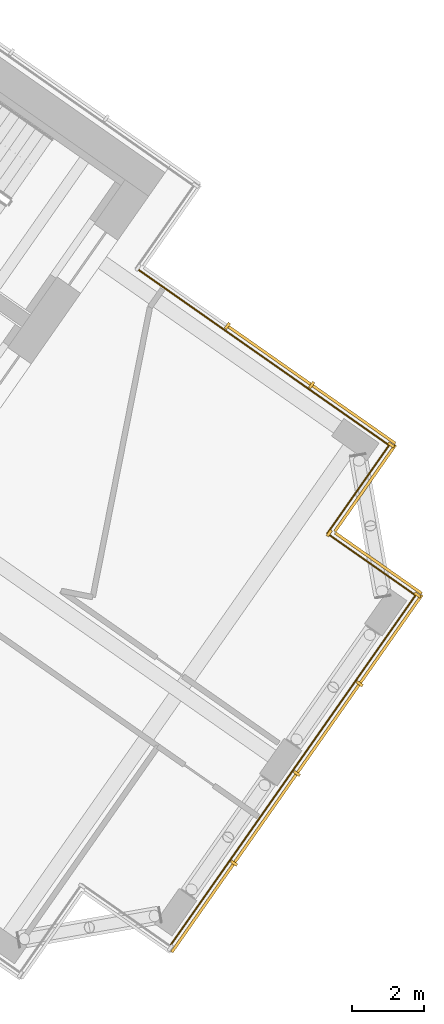
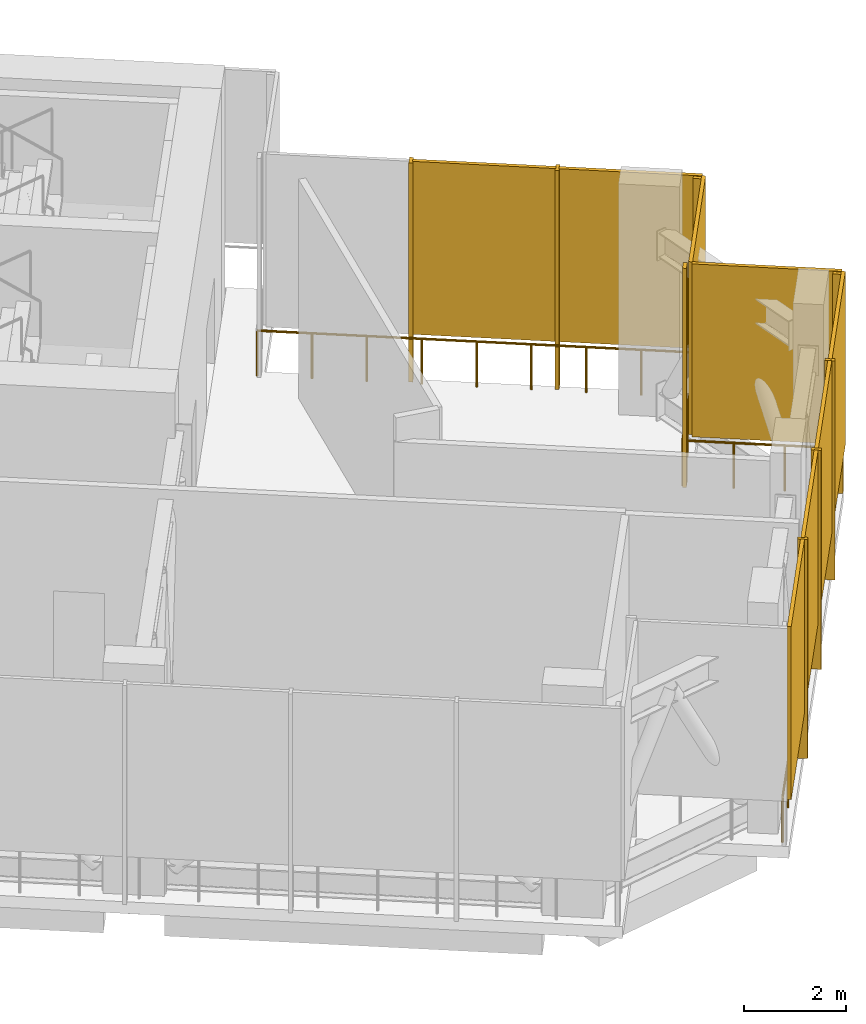
# One storey, part 19 of 19: 16 shading devices, 4 railings.
"""IFC4 building model written with IfcOpenShell, lengths in metres."""

from ifc_helpers import new_model, si_unit, direction, frame, origin, origin_2d, place, context, subcontext, project, spatial, rectangle, circle, extrude, material, layer, layer_set, type_object, element, save


model = new_model("IFC4")

# Units and contexts
model_context = context("Model", 3, precision=1e-05, world=origin(), true_north=direction((0.0, 1.0)))
body_context = subcontext(model_context, "Body", "Model", "MODEL_VIEW")
ifc_project = project(units=[si_unit("LENGTHUNIT", "METRE"), si_unit("AREAUNIT", "SQUARE_METRE"), si_unit("VOLUMEUNIT", "CUBIC_METRE"), si_unit("PLANEANGLEUNIT", "RADIAN"), si_unit("MASSUNIT", "GRAM", prefix="KILO")], contexts=[model_context])

# Site, building, storey
site_placement = place(None, origin())
site = spatial("IfcSite", under=ifc_project, at=site_placement, CompositionType="ELEMENT")
building_placement = place(site_placement, origin())
building = spatial("IfcBuilding", under=site, at=building_placement, Name="Tel Ilan Convention Tower", CompositionType="ELEMENT")
storey_placement = place(building_placement, frame((0.0, 0.0, 213.89990234375)))
storey = spatial("IfcBuildingStorey", under=building, at=storey_placement, Name="L50", CompositionType="ELEMENT", Elevation=213.89990234375)

# Shading devices
ifc_material_1 = material(Name="Perforated aluminium sheet, bronze anodised", Category="aluminium")
ifc_layer_1 = layer(ifc_material_1, 0.080078125)
ifc_layer_set_1 = layer_set([ifc_layer_1], Name="PERFORATED SCREEN 80")
shading_device_type_1 = type_object("IfcShadingDeviceType", Name="PERFORATED SCREEN 80", PredefinedType="USERDEFINED", material=ifc_layer_set_1)
for number, where, z_axis, x_axis, name in (
    (1, (29.01123046875, -27.608154296875, 1.10009765625), (0.0, 0.0, 1.0), (0.573576436351, 0.819152044289, 0.0), "SCREEN"),
    (2, (30.7607421875, -25.109619140625, 1.10009765625), (0.0, 0.0, 1.0), (0.573576436351, 0.819152044289, 0.0), "SCREEN"),
    (3, (32.510009765625, -22.611328125, 1.10009765625), (0.0, 0.0, 1.0), (0.573576436351, 0.819152044289, 0.0), "SCREEN"),
    (4, (34.259521484375, -20.11279296875, 1.10009765625), (0.0, 0.0, 1.0), (0.573576436351, 0.819152044289, 0.0), "SCREEN"),
):
    element("IfcShadingDevice", number, at=place(storey_placement, frame(where, z_axis=z_axis, x_axis=x_axis)), inside=storey, type_object=shading_device_type_1, Name=name, ObjectType="SCREEN", PredefinedType="USERDEFINED", context=body_context, shape_type="SweptSolid", body=[
        extrude(rectangle(XDim=2.989990234375, YDim=0.080078125, at=origin_2d()), origin(), (0.0, 0.0, 1.0), 4.1201171875),
    ])
for number, where, z_axis, x_axis, name in (
    (5, (33.905517578125, -18.003173828125, 1.10009765625), (0.0, 0.0, 1.0), (-0.819152044289, 0.573576436351, 0.0), "SCREEN"),
    (6, (33.537109375, -15.9140625, 1.10009765625), (0.0, 0.0, 1.0), (0.573576436351, 0.819152044289, 0.0), "SCREEN"),
):
    element("IfcShadingDevice", number, at=place(storey_placement, frame(where, z_axis=z_axis, x_axis=x_axis)), inside=storey, type_object=shading_device_type_1, Name=name, ObjectType="SCREEN", PredefinedType="USERDEFINED", context=body_context, shape_type="SweptSolid", body=[
        extrude(rectangle(XDim=2.93994140625, YDim=0.080078125, at=origin_2d()), origin(), (0.0, 0.0, 1.0), 4.1201171875),
    ])
for number, where, z_axis, x_axis, name in (
    (7, (33.223388671875, -13.86328125, 1.10009765625), (0.0, 0.0, 1.0), (-0.819152044289, 0.573576436351, 0.0), "SCREEN"),
    (8, (30.875244140625, -12.218994140625, 1.10009765625), (0.0, 0.0, 1.0), (-0.819152044289, 0.573576436351, 0.0), "SCREEN"),
):
    element("IfcShadingDevice", number, at=place(storey_placement, frame(where, z_axis=z_axis, x_axis=x_axis)), inside=storey, type_object=shading_device_type_1, Name=name, ObjectType="SCREEN", PredefinedType="USERDEFINED", context=body_context, shape_type="SweptSolid", body=[
        extrude(rectangle(XDim=2.806640625, YDim=0.080078125, at=origin_2d()), origin(), (0.0, 0.0, 1.0), 4.1201171875),
    ])

# Railings
ifc_material_2 = material(Name="Stainless steel S316", Category="steel")
railing_type = type_object("IfcRailingType", Name="REFUGE EDGE GUARD 1100", PredefinedType="GUARDRAIL", material=ifc_material_2)
railing_1_placement = place(storey_placement, frame((27.15771484375, -9.787109375, 0.0)))
element("IfcRailing", 9, at=railing_1_placement, inside=storey, type_object=railing_type, Name="Refuge edge guard 39.R11", PredefinedType="GUARDRAIL", context=body_context, shape_type="SweptSolid", body=[
    extrude(circle(Radius=0.02490234375, at=origin_2d()), frame((0.0, 0.0, 1.0751953125), z_axis=(0.81915856023, -0.573567130511, 0.0), x_axis=(0.573567130511, 0.81915856023, 0.0)), (0.0, 0.0, 1.0), 8.599853515625),
    extrude(circle(Radius=0.02490234375, at=origin_2d()), origin(), (0.0, 0.0, 1.0), 1.050048828125),
    extrude(circle(Radius=0.02490234375, at=origin_2d()), frame((0.880615234375, -0.61669921875, 0.0)), (0.0, 0.0, 1.0), 1.050048828125),
    extrude(circle(Radius=0.02490234375, at=origin_2d()), frame((1.76123046875, -1.233154296875, 0.0)), (0.0, 0.0, 1.0), 1.050048828125),
    extrude(circle(Radius=0.02490234375, at=origin_2d()), frame((2.641845703125, -1.849609375, 0.0)), (0.0, 0.0, 1.0), 1.050048828125),
    extrude(circle(Radius=0.02490234375, at=origin_2d()), frame((3.5224609375, -2.46630859375, 0.0)), (0.0, 0.0, 1.0), 1.050048828125),
    extrude(circle(Radius=0.02490234375, at=origin_2d()), frame((4.40283203125, -3.0830078125, 0.0)), (0.0, 0.0, 1.0), 1.050048828125),
    extrude(circle(Radius=0.02490234375, at=origin_2d()), frame((5.283447265625, -3.699462890625, 0.0)), (0.0, 0.0, 1.0), 1.050048828125),
    extrude(circle(Radius=0.02490234375, at=origin_2d()), frame((6.1640625, -4.31591796875, 0.0)), (0.0, 0.0, 1.0), 1.050048828125),
    extrude(circle(Radius=0.02490234375, at=origin_2d()), frame((7.044677734375, -4.9326171875, 0.0)), (0.0, 0.0, 1.0), 1.050048828125),
])
railing_2_placement = place(storey_placement, frame((34.202392578125, -14.7197265625, 0.0)))
element("IfcRailing", 10, at=railing_2_placement, inside=storey, type_object=railing_type, Name="Refuge edge guard 39.R12", PredefinedType="GUARDRAIL", context=body_context, shape_type="SweptSolid", body=[
    extrude(circle(Radius=0.02490234375, at=origin_2d()), frame((0.0, 0.0, 1.0751953125), z_axis=(-0.573560650686, -0.819163097304, 0.0), x_axis=(0.819163097304, -0.573560650686, 0.0)), (0.0, 0.0, 1.0), 3.0),
    extrude(circle(Radius=0.02490234375, at=origin_2d()), origin(), (0.0, 0.0, 1.0), 1.050048828125),
    extrude(circle(Radius=0.02490234375, at=origin_2d()), frame((-0.573486328125, -0.819091796875, 0.0)), (0.0, 0.0, 1.0), 1.050048828125),
    extrude(circle(Radius=0.02490234375, at=origin_2d()), frame((-1.147216796875, -1.638427734375, 0.0)), (0.0, 0.0, 1.0), 1.050048828125),
    extrude(circle(Radius=0.02490234375, at=origin_2d()), frame((-1.720703125, -2.45751953125, 0.0)), (0.0, 0.0, 1.0), 1.050048828125),
])
railing_3_placement = place(storey_placement, frame((32.481689453125, -17.17724609375, 0.0)))
element("IfcRailing", 11, at=railing_3_placement, inside=storey, type_object=railing_type, Name="Refuge edge guard 39.R13", PredefinedType="GUARDRAIL", context=body_context, shape_type="SweptSolid", body=[
    extrude(circle(Radius=0.02490234375, at=origin_2d()), frame((0.0, 0.0, 1.0751953125), z_axis=(0.819163097304, -0.573560650686, 0.0), x_axis=(0.573560650686, 0.819163097304, 0.0)), (0.0, 0.0, 1.0), 3.0),
    extrude(circle(Radius=0.02490234375, at=origin_2d()), origin(), (0.0, 0.0, 1.0), 1.050048828125),
    extrude(circle(Radius=0.02490234375, at=origin_2d()), frame((0.819091796875, -0.573486328125, 0.0)), (0.0, 0.0, 1.0), 1.050048828125),
    extrude(circle(Radius=0.02490234375, at=origin_2d()), frame((1.638427734375, -1.147216796875, 0.0)), (0.0, 0.0, 1.0), 1.050048828125),
    extrude(circle(Radius=0.02490234375, at=origin_2d()), frame((2.45751953125, -1.720703125, 0.0)), (0.0, 0.0, 1.0), 1.050048828125),
])
railing_4_placement = place(storey_placement, frame((34.939208984375, -18.89794921875, 0.0)))
element("IfcRailing", 12, at=railing_4_placement, inside=storey, type_object=railing_type, Name="Refuge edge guard 39.R14", PredefinedType="GUARDRAIL", context=body_context, shape_type="SweptSolid", body=[
    extrude(circle(Radius=0.02490234375, at=origin_2d()), frame((0.0, 0.0, 1.0751953125), z_axis=(-0.573565434892, -0.819159747483, 0.0), x_axis=(0.819159747483, -0.573565434892, 0.0)), (0.0, 0.0, 1.0), 11.919921875),
    extrude(circle(Radius=0.02490234375, at=origin_2d()), origin(), (0.0, 0.0, 1.0), 1.050048828125),
    extrude(circle(Radius=0.02490234375, at=origin_2d()), frame((-0.68359375, -0.9765625, 0.0)), (0.0, 0.0, 1.0), 1.050048828125),
    extrude(circle(Radius=0.02490234375, at=origin_2d()), frame((-1.367431640625, -1.952880859375, 0.0)), (0.0, 0.0, 1.0), 1.050048828125),
    extrude(circle(Radius=0.02490234375, at=origin_2d()), frame((-2.051025390625, -2.92919921875, 0.0)), (0.0, 0.0, 1.0), 1.050048828125),
    extrude(circle(Radius=0.02490234375, at=origin_2d()), frame((-2.73486328125, -3.90576171875, 0.0)), (0.0, 0.0, 1.0), 1.050048828125),
    extrude(circle(Radius=0.02490234375, at=origin_2d()), frame((-3.41845703125, -4.88232421875, 0.0)), (0.0, 0.0, 1.0), 1.050048828125),
    extrude(circle(Radius=0.02490234375, at=origin_2d()), frame((-4.10205078125, -5.858642578125, 0.0)), (0.0, 0.0, 1.0), 1.050048828125),
    extrude(circle(Radius=0.02490234375, at=origin_2d()), frame((-4.785888671875, -6.8349609375, 0.0)), (0.0, 0.0, 1.0), 1.050048828125),
    extrude(circle(Radius=0.02490234375, at=origin_2d()), frame((-5.469482421875, -7.8115234375, 0.0)), (0.0, 0.0, 1.0), 1.050048828125),
    extrude(circle(Radius=0.02490234375, at=origin_2d()), frame((-6.1533203125, -8.7880859375, 0.0)), (0.0, 0.0, 1.0), 1.050048828125),
    extrude(circle(Radius=0.02490234375, at=origin_2d()), frame((-6.8369140625, -9.764404296875, 0.0)), (0.0, 0.0, 1.0), 1.050048828125),
])

# Shading devices
ifc_material_3 = material(Name="Perforated aluminium sheet, bronze anodised", Category="aluminium")
ifc_layer_2 = layer(ifc_material_3, 0.080078125)
ifc_layer_set_2 = layer_set([ifc_layer_2], Name="SCREEN CORNER CLOSURE 80x200")
shading_device_type_2 = type_object("IfcShadingDeviceType", Name="SCREEN CORNER CLOSURE 80x200", PredefinedType="USERDEFINED", material=ifc_layer_set_2)
for number, where, z_axis, x_axis, name in (
    (13, (34.994873046875, -18.88818359375, 0.0), (0.0, 0.0, 1.0), (0.573576436351, 0.819152044289, 0.0), "SCREEN"),
    (14, (32.53759765625, -17.16748046875, 0.0), (0.0, 0.0, 1.0), (-0.819152044289, 0.573576436351, 0.0), "SCREEN"),
    (15, (34.25830078125, -14.7099609375, 0.0), (0.0, 0.0, 1.0), (0.573576436351, 0.819152044289, 0.0), "SCREEN"),
):
    element("IfcShadingDevice", number, at=place(storey_placement, frame(where, z_axis=z_axis, x_axis=x_axis)), inside=storey, type_object=shading_device_type_2, Name=name, ObjectType="SCREEN", PredefinedType="USERDEFINED", context=body_context, shape_type="SweptSolid", body=[
        extrude(rectangle(XDim=0.080078125, YDim=0.199951171875, at=origin_2d()), origin(), (0.0, 0.0, 1.0), 5.219970703125),
    ])
ifc_material_4 = material(Name="Aluminium, bronze anodised", Category="aluminium")
ifc_layer_3 = layer(ifc_material_4, 0.080078125)
ifc_layer_set_3 = layer_set([ifc_layer_3], Name="SCREEN POST 80x200")
shading_device_type_3 = type_object("IfcShadingDeviceType", Name="SCREEN POST 80x200", PredefinedType="USERDEFINED", material=ifc_layer_set_3)
for number, where, z_axis, x_axis, name in (
    (16, (29.885986328125, -26.35888671875, 0.0), (0.0, 0.0, 1.0), (0.573576436351, 0.819152044289, 0.0), "Screen post"),
    (17, (31.635498046875, -23.8603515625, 0.0), (0.0, 0.0, 1.0), (0.573576436351, 0.819152044289, 0.0), "Screen post"),
    (18, (33.384765625, -21.362060546875, 0.0), (0.0, 0.0, 1.0), (0.573576436351, 0.819152044289, 0.0), "Screen post"),
    (19, (32.04931640625, -13.041259765625, 0.0), (0.0, 0.0, 1.0), (-0.819152044289, 0.573576436351, 0.0), "Screen post"),
    (20, (29.700927734375, -11.39697265625, 0.0), (0.0, 0.0, 1.0), (-0.819152044289, 0.573576436351, 0.0), "Screen post"),
):
    element("IfcShadingDevice", number, at=place(storey_placement, frame(where, z_axis=z_axis, x_axis=x_axis)), inside=storey, type_object=shading_device_type_3, Name=name, ObjectType="SCREEN POST", PredefinedType="USERDEFINED", context=body_context, shape_type="SweptSolid", body=[
        extrude(rectangle(XDim=0.080078125, YDim=0.199951171875, at=origin_2d()), origin(), (0.0, 0.0, 1.0), 5.219970703125),
    ])

save(model, "model.ifc")
